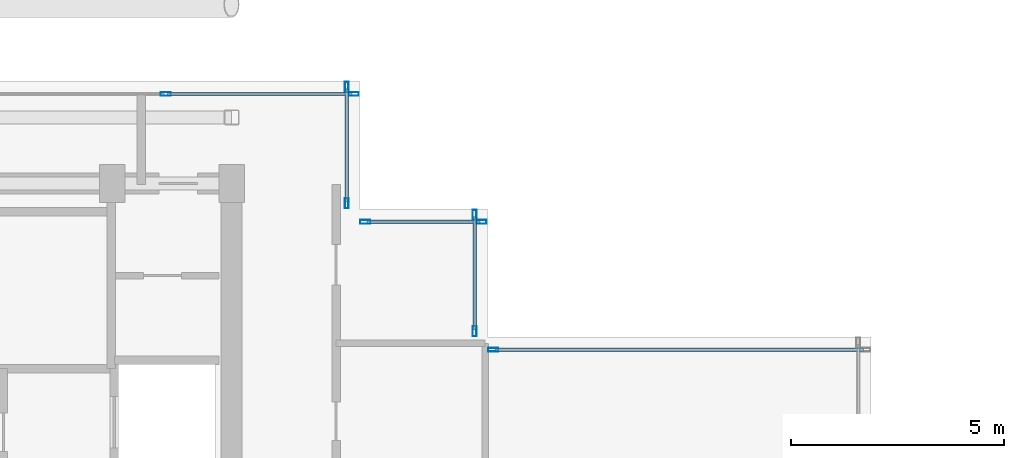
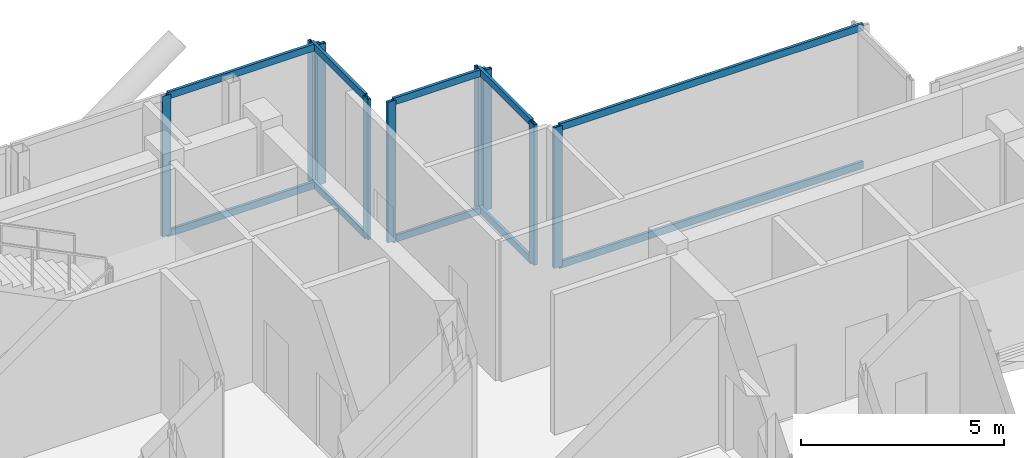
# One storey, part 8 of 16: 19 members, 5 elements without a shape of their own.
"""IFC4 building model written with IfcOpenShell, lengths in metres."""

from ifc_helpers import new_model, si_unit, direction, frame, origin, origin_2d, place, context, subcontext, project, spatial, hollow_rectangle, extrude, material, layer, layer_set, material_profile, profile_set, type_object, element, aggregate, save


model = new_model("IFC4")

# Units and contexts
model_context = context("Model", 3, precision=1e-05, world=origin(), true_north=direction((0.0, 1.0)))
body_context = subcontext(model_context, "Body", "Model", "MODEL_VIEW")
ifc_project = project(units=[si_unit("LENGTHUNIT", "METRE"), si_unit("AREAUNIT", "SQUARE_METRE"), si_unit("VOLUMEUNIT", "CUBIC_METRE"), si_unit("PLANEANGLEUNIT", "RADIAN"), si_unit("MASSUNIT", "GRAM", prefix="KILO"), si_unit("THERMODYNAMICTEMPERATUREUNIT", "KELVIN"), si_unit("POWERUNIT", "WATT")], contexts=[model_context])

# Site, building, storey
site_placement = place(None, origin())
site = spatial("IfcSite", under=ifc_project, at=site_placement, CompositionType="ELEMENT")
building_placement = place(site_placement, origin())
building = spatial("IfcBuilding", under=site, at=building_placement, Name="Svarakhadi Broadcast Tower", CompositionType="ELEMENT")
storey_placement = place(building_placement, frame((0.0, 0.0, 296.39990234375)))
storey = spatial("IfcBuildingStorey", under=building, at=storey_placement, Name="L75", CompositionType="ELEMENT", Elevation=296.39990234375)

# Curtain wall, members
ifc_material = material(Name="Anodised Bronze Aluminium AA 6063-T6", Category="aluminium")
ifc_layer = layer(ifc_material, 0.239990234375)
ifc_layer_set = layer_set([ifc_layer], Name="Anodised Bronze Aluminium AA 6063-T6")
curtain_wall_type = type_object("IfcCurtainWallType", Name="CW_Sys_06", PredefinedType="NOTDEFINED", material=ifc_layer_set)
curtain_wall_1_placement = place(storey_placement, origin())
curtain_wall_1 = element("IfcCurtainWall", 1, at=curtain_wall_1_placement, inside=storey, type_object=curtain_wall_type, Name="L75 Unitised Facade Curtain Wall 06", PredefinedType="NOTDEFINED")
ifc_material_profile_1 = material_profile(ifc_material, hollow_rectangle(XDim=0.090087890625, YDim=0.239990234375, WallThickness=0.006103515625, at=origin_2d()), Name="ALU MULLION 240x90x6")
ifc_profile_set_1 = profile_set([ifc_material_profile_1], Name="Anodised Bronze Aluminium AA 6063-T6")
member_type_1 = type_object("IfcMemberType", Name="CW_Sys_06_Mul", PredefinedType="MULLION", material=ifc_profile_set_1)
member_1_placement = place(storey_placement, frame((16.455078125, 29.699951171875, 0.0), z_axis=(0.0, 0.0, 1.0), x_axis=(0.0, 1.0, 0.0)))
member_1 = element("IfcMember", 2, at=member_1_placement, type_object=member_type_1, Name="CW-06 mullion 4", PredefinedType="MULLION", context=body_context, shape_type="SweptSolid", body=[
    extrude(hollow_rectangle(XDim=0.090087890625, YDim=0.239990234375, WallThickness=0.006103515625, at=origin_2d()), origin(), (0.0, 0.0, 1.0), 4.22509765625),
])
member_2_placement = place(storey_placement, frame((20.864990234375, 29.699951171875, 0.0), z_axis=(0.0, 0.0, 1.0), x_axis=(0.0, 1.0, 0.0)))
member_2 = element("IfcMember", 3, at=member_2_placement, type_object=member_type_1, Name="CW-06 mullion 5", PredefinedType="MULLION", context=body_context, shape_type="SweptSolid", body=[
    extrude(hollow_rectangle(XDim=0.090087890625, YDim=0.239990234375, WallThickness=0.006103515625, at=origin_2d()), origin(), (0.0, 0.0, 1.0), 4.22509765625),
])

curtain_wall_2_placement = place(storey_placement, origin())
curtain_wall_2 = element("IfcCurtainWall", 4, at=curtain_wall_2_placement, inside=storey, type_object=curtain_wall_type, Name="L75 Unitised Facade Curtain Wall 07", PredefinedType="NOTDEFINED")
member_3_placement = place(storey_placement, frame((20.699951171875, 29.864990234375, 0.0), z_axis=(0.0, 0.0, 1.0), x_axis=(1.0, 0.0, 0.0)))
member_3 = element("IfcMember", 5, at=member_3_placement, type_object=member_type_1, Name="CW-06 mullion 1", PredefinedType="MULLION", context=body_context, shape_type="SweptSolid", body=[
    extrude(hollow_rectangle(XDim=0.090087890625, YDim=0.239990234375, WallThickness=0.006103515625, at=origin_2d()), origin(), (0.0, 0.0, 1.0), 4.22509765625),
])
member_4_placement = place(storey_placement, frame((20.699951171875, 27.135009765625, 0.0), z_axis=(0.0, 0.0, 1.0), x_axis=(1.0, 0.0, 0.0)))
member_4 = element("IfcMember", 6, at=member_4_placement, type_object=member_type_1, Name="CW-06 mullion 2", PredefinedType="MULLION", context=body_context, shape_type="SweptSolid", body=[
    extrude(hollow_rectangle(XDim=0.090087890625, YDim=0.239990234375, WallThickness=0.006103515625, at=origin_2d()), origin(), (0.0, 0.0, 1.0), 4.22509765625),
])

curtain_wall_3_placement = place(storey_placement, origin())
curtain_wall_3 = element("IfcCurtainWall", 7, at=curtain_wall_3_placement, inside=storey, type_object=curtain_wall_type, Name="L75 Unitised Facade Curtain Wall 08", PredefinedType="NOTDEFINED")
member_5_placement = place(storey_placement, frame((21.135009765625, 26.699951171875, 0.0), z_axis=(0.0, 0.0, 1.0), x_axis=(0.0, 1.0, 0.0)))
member_5 = element("IfcMember", 8, at=member_5_placement, type_object=member_type_1, Name="CW-06 mullion 1", PredefinedType="MULLION", context=body_context, shape_type="SweptSolid", body=[
    extrude(hollow_rectangle(XDim=0.090087890625, YDim=0.239990234375, WallThickness=0.006103515625, at=origin_2d()), origin(), (0.0, 0.0, 1.0), 4.22509765625),
])
member_6_placement = place(storey_placement, frame((23.864990234375, 26.699951171875, 0.0), z_axis=(0.0, 0.0, 1.0), x_axis=(0.0, 1.0, 0.0)))
member_6 = element("IfcMember", 9, at=member_6_placement, type_object=member_type_1, Name="CW-06 mullion 2", PredefinedType="MULLION", context=body_context, shape_type="SweptSolid", body=[
    extrude(hollow_rectangle(XDim=0.090087890625, YDim=0.239990234375, WallThickness=0.006103515625, at=origin_2d()), origin(), (0.0, 0.0, 1.0), 4.22509765625),
])

curtain_wall_4_placement = place(storey_placement, origin())
curtain_wall_4 = element("IfcCurtainWall", 10, at=curtain_wall_4_placement, inside=storey, type_object=curtain_wall_type, Name="L75 Unitised Facade Curtain Wall 09", PredefinedType="NOTDEFINED")
member_7_placement = place(storey_placement, frame((23.699951171875, 26.864990234375, 0.0), z_axis=(0.0, 0.0, 1.0), x_axis=(1.0, 0.0, 0.0)))
member_7 = element("IfcMember", 11, at=member_7_placement, type_object=member_type_1, Name="CW-06 mullion 1", PredefinedType="MULLION", context=body_context, shape_type="SweptSolid", body=[
    extrude(hollow_rectangle(XDim=0.090087890625, YDim=0.239990234375, WallThickness=0.006103515625, at=origin_2d()), origin(), (0.0, 0.0, 1.0), 4.22509765625),
])
member_8_placement = place(storey_placement, frame((23.699951171875, 24.135009765625, 0.0), z_axis=(0.0, 0.0, 1.0), x_axis=(1.0, 0.0, 0.0)))
member_8 = element("IfcMember", 12, at=member_8_placement, type_object=member_type_1, Name="CW-06 mullion 2", PredefinedType="MULLION", context=body_context, shape_type="SweptSolid", body=[
    extrude(hollow_rectangle(XDim=0.090087890625, YDim=0.239990234375, WallThickness=0.006103515625, at=origin_2d()), origin(), (0.0, 0.0, 1.0), 4.22509765625),
])

# Curtain wall, member
curtain_wall_5_placement = place(storey_placement, origin())
curtain_wall_5 = element("IfcCurtainWall", 13, at=curtain_wall_5_placement, inside=storey, type_object=curtain_wall_type, Name="L75 Unitised Facade Curtain Wall 10", PredefinedType="NOTDEFINED")
member_9_placement = place(storey_placement, frame((24.135009765625, 23.699951171875, 0.0), z_axis=(0.0, 0.0, 1.0), x_axis=(0.0, 1.0, 0.0)))
member_9 = element("IfcMember", 14, at=member_9_placement, type_object=member_type_1, Name="CW-06 mullion 1", PredefinedType="MULLION", context=body_context, shape_type="SweptSolid", body=[
    extrude(hollow_rectangle(XDim=0.090087890625, YDim=0.239990234375, WallThickness=0.006103515625, at=origin_2d()), origin(), (0.0, 0.0, 1.0), 4.22509765625),
])

# Member
ifc_material_profile_2 = material_profile(ifc_material, hollow_rectangle(XDim=0.080078125, YDim=0.2099609375, WallThickness=0.0048828125, at=origin_2d()), Name="ALU TRANSOM 210x80x5")
ifc_profile_set_2 = profile_set([ifc_material_profile_2], Name="Anodised Bronze Aluminium AA 6063-T6")
member_type_2 = type_object("IfcMemberType", Name="CW_Sys_06_Trn", PredefinedType="USERDEFINED", material=ifc_profile_set_2)
member_10_placement = place(storey_placement, frame((16.5, 29.699951171875, 0.0400390625), z_axis=(1.0, 0.0, 0.0), x_axis=(0.0, 1.0, 0.0)))
member_10 = element("IfcMember", 15, at=member_10_placement, type_object=member_type_2, Name="CW-06 transom 4.1", ObjectType="TRANSOM", PredefinedType="USERDEFINED", context=body_context, shape_type="SweptSolid", body=[
    extrude(hollow_rectangle(XDim=0.080078125, YDim=0.2099609375, WallThickness=0.0048828125, at=origin_2d()), origin(), (0.0, 0.0, 1.0), 4.320068359375),
])

member_11_placement = place(storey_placement, frame((16.5, 29.699951171875, 4.18505859375), z_axis=(1.0, 0.0, 0.0), x_axis=(0.0, 1.0, 0.0)))
member_11 = element("IfcMember", 16, at=member_11_placement, type_object=member_type_2, Name="CW-06 transom 4.2", ObjectType="TRANSOM", PredefinedType="USERDEFINED", context=body_context, shape_type="SweptSolid", body=[
    extrude(hollow_rectangle(XDim=0.080078125, YDim=0.2099609375, WallThickness=0.0048828125, at=origin_2d()), origin(), (0.0, 0.0, 1.0), 4.320068359375),
])

aggregate(curtain_wall_1, [member_1, member_2, member_10, member_11])

member_12_placement = place(storey_placement, frame((20.699951171875, 29.820068359375, 0.0400390625), z_axis=(0.0, -1.0, 0.0), x_axis=(1.0, 0.0, 0.0)))
member_12 = element("IfcMember", 17, at=member_12_placement, type_object=member_type_2, Name="CW-06 transom 1.1", ObjectType="TRANSOM", PredefinedType="USERDEFINED", context=body_context, shape_type="SweptSolid", body=[
    extrude(hollow_rectangle(XDim=0.080078125, YDim=0.2099609375, WallThickness=0.0048828125, at=origin_2d()), origin(), (0.0, 0.0, 1.0), 2.64013671875),
])

member_13_placement = place(storey_placement, frame((20.699951171875, 29.820068359375, 4.18505859375), z_axis=(0.0, -1.0, 0.0), x_axis=(1.0, 0.0, 0.0)))
member_13 = element("IfcMember", 18, at=member_13_placement, type_object=member_type_2, Name="CW-06 transom 1.2", ObjectType="TRANSOM", PredefinedType="USERDEFINED", context=body_context, shape_type="SweptSolid", body=[
    extrude(hollow_rectangle(XDim=0.080078125, YDim=0.2099609375, WallThickness=0.0048828125, at=origin_2d()), origin(), (0.0, 0.0, 1.0), 2.64013671875),
])

aggregate(curtain_wall_2, [member_3, member_4, member_12, member_13])

member_14_placement = place(storey_placement, frame((21.179931640625, 26.699951171875, 0.0400390625), z_axis=(1.0, 0.0, 0.0), x_axis=(0.0, 1.0, 0.0)))
member_14 = element("IfcMember", 19, at=member_14_placement, type_object=member_type_2, Name="CW-06 transom 1.1", ObjectType="TRANSOM", PredefinedType="USERDEFINED", context=body_context, shape_type="SweptSolid", body=[
    extrude(hollow_rectangle(XDim=0.080078125, YDim=0.2099609375, WallThickness=0.0048828125, at=origin_2d()), origin(), (0.0, 0.0, 1.0), 2.64013671875),
])

member_15_placement = place(storey_placement, frame((21.179931640625, 26.699951171875, 4.18505859375), z_axis=(1.0, 0.0, 0.0), x_axis=(0.0, 1.0, 0.0)))
member_15 = element("IfcMember", 20, at=member_15_placement, type_object=member_type_2, Name="CW-06 transom 1.2", ObjectType="TRANSOM", PredefinedType="USERDEFINED", context=body_context, shape_type="SweptSolid", body=[
    extrude(hollow_rectangle(XDim=0.080078125, YDim=0.2099609375, WallThickness=0.0048828125, at=origin_2d()), origin(), (0.0, 0.0, 1.0), 2.64013671875),
])

aggregate(curtain_wall_3, [member_5, member_6, member_14, member_15])

member_16_placement = place(storey_placement, frame((23.699951171875, 26.820068359375, 0.0400390625), z_axis=(0.0, -1.0, 0.0), x_axis=(1.0, 0.0, 0.0)))
member_16 = element("IfcMember", 21, at=member_16_placement, type_object=member_type_2, Name="CW-06 transom 1.1", ObjectType="TRANSOM", PredefinedType="USERDEFINED", context=body_context, shape_type="SweptSolid", body=[
    extrude(hollow_rectangle(XDim=0.080078125, YDim=0.2099609375, WallThickness=0.0048828125, at=origin_2d()), origin(), (0.0, 0.0, 1.0), 2.64013671875),
])

member_17_placement = place(storey_placement, frame((23.699951171875, 26.820068359375, 4.18505859375), z_axis=(0.0, -1.0, 0.0), x_axis=(1.0, 0.0, 0.0)))
member_17 = element("IfcMember", 22, at=member_17_placement, type_object=member_type_2, Name="CW-06 transom 1.2", ObjectType="TRANSOM", PredefinedType="USERDEFINED", context=body_context, shape_type="SweptSolid", body=[
    extrude(hollow_rectangle(XDim=0.080078125, YDim=0.2099609375, WallThickness=0.0048828125, at=origin_2d()), origin(), (0.0, 0.0, 1.0), 2.64013671875),
])

aggregate(curtain_wall_4, [member_7, member_8, member_16, member_17])

member_18_placement = place(storey_placement, frame((24.179931640625, 23.699951171875, 0.0400390625), z_axis=(1.0, 0.0, 0.0), x_axis=(0.0, 1.0, 0.0)))
member_18 = element("IfcMember", 23, at=member_18_placement, type_object=member_type_2, Name="CW-06 transom 1.1", ObjectType="TRANSOM", PredefinedType="USERDEFINED", context=body_context, shape_type="SweptSolid", body=[
    extrude(hollow_rectangle(XDim=0.080078125, YDim=0.2099609375, WallThickness=0.0048828125, at=origin_2d()), origin(), (0.0, 0.0, 1.0), 8.64013671875),
])

member_19_placement = place(storey_placement, frame((24.179931640625, 23.699951171875, 4.18505859375), z_axis=(1.0, 0.0, 0.0), x_axis=(0.0, 1.0, 0.0)))
member_19 = element("IfcMember", 24, at=member_19_placement, type_object=member_type_2, Name="CW-06 transom 1.2", ObjectType="TRANSOM", PredefinedType="USERDEFINED", context=body_context, shape_type="SweptSolid", body=[
    extrude(hollow_rectangle(XDim=0.080078125, YDim=0.2099609375, WallThickness=0.0048828125, at=origin_2d()), origin(), (0.0, 0.0, 1.0), 8.64013671875),
])

aggregate(curtain_wall_5, [member_9, member_18, member_19])

save(model, "model.ifc")
